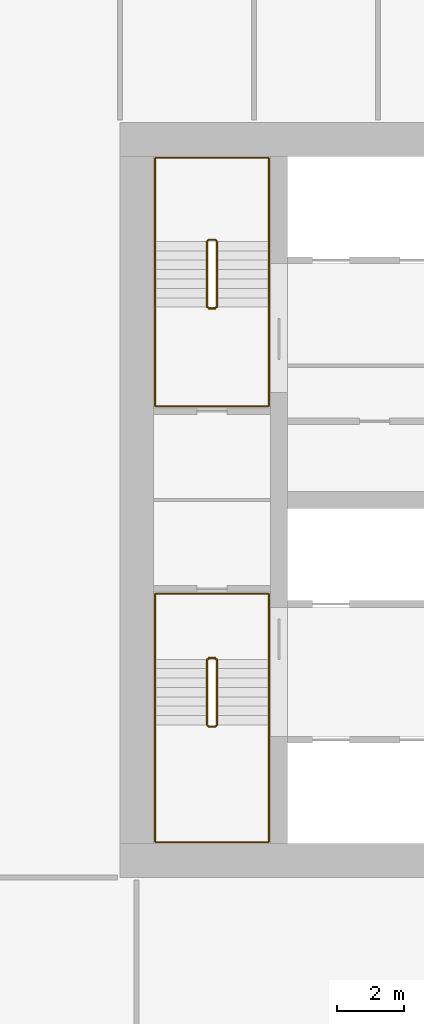
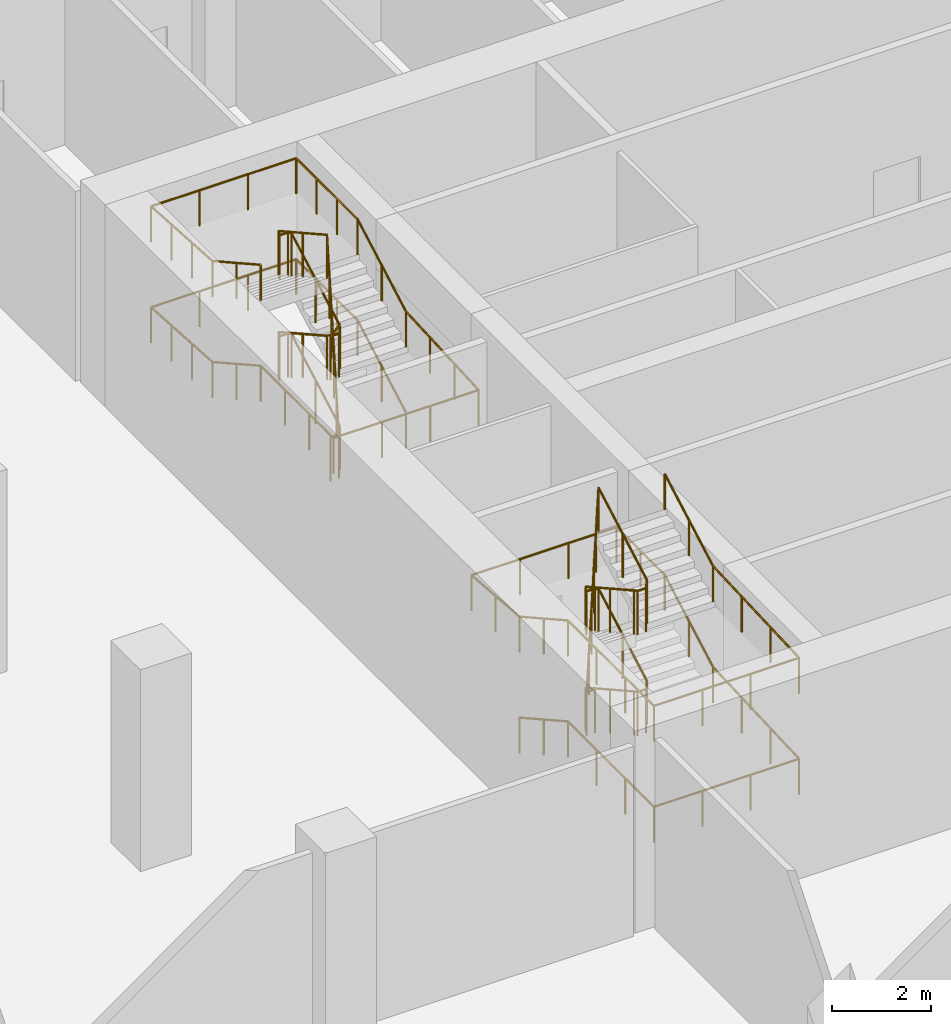
# One storey, part 22 of 32: 4 railings.
"""IFC4 building model written with IfcOpenShell, lengths in metres."""

from ifc_helpers import new_model, si_unit, direction, frame, origin, origin_2d, place, context, subcontext, project, spatial, circle, extrude, material, type_object, element, save


model = new_model("IFC4")

# Units and contexts
model_context = context("Model", 3, precision=1e-05, world=origin(), true_north=direction((0.0, 1.0)))
body_context = subcontext(model_context, "Body", "Model", "MODEL_VIEW")
ifc_project = project(units=[si_unit("LENGTHUNIT", "METRE"), si_unit("AREAUNIT", "SQUARE_METRE"), si_unit("VOLUMEUNIT", "CUBIC_METRE"), si_unit("PLANEANGLEUNIT", "RADIAN"), si_unit("MASSUNIT", "GRAM", prefix="KILO")], contexts=[model_context])

# Site, building, storey
site_placement = place(None, origin())
site = spatial("IfcSite", under=ifc_project, at=site_placement, CompositionType="ELEMENT")
building_placement = place(site_placement, origin())
building = spatial("IfcBuilding", under=site, at=building_placement, Name="Tamorin Gate", CompositionType="ELEMENT")
storey_placement = place(building_placement, frame((0.0, 0.0, 13.5)))
storey = spatial("IfcBuildingStorey", under=building, at=storey_placement, Name="L02", CompositionType="ELEMENT", Elevation=13.5)

# Railings
ifc_material_1 = material(Name="Painted steel balustrade", Category="steel")
railing_type_1 = type_object("IfcRailingType", Name="Stair guard 1100", PredefinedType="GUARDRAIL", material=ifc_material_1)
railing_1_placement = place(storey_placement, frame((32.60009765625, 66.5, 0.15625)))
element("IfcRailing", 1, at=railing_1_placement, inside=storey, type_object=railing_type_1, Name="L02 ST1 stair guard 1", PredefinedType="GUARDRAIL", context=body_context, shape_type="SweptSolid", body=[
    extrude(circle(Radius=0.02392578125, at=origin_2d()), frame((0.0, 0.0, 1.076171875), z_axis=(0.0, -0.873232148454, 0.487304437602), x_axis=(1.0, 0.0, 0.0)), (0.0, 0.0, 1.0), 2.244384765625),
    extrude(circle(Radius=0.02392578125, at=origin_2d()), frame((0.0, -1.9599609375, 2.169921875), z_axis=(0.705375805398, -0.708833529934, 0.0), x_axis=(0.708833529934, 0.705375805398, 0.0)), (0.0, 0.0, 1.0), 0.070556640625),
    extrude(circle(Radius=0.02392578125, at=origin_2d()), frame((0.0498046875, -2.010009765625, 2.169921875), z_axis=(1.0, 0.0, 0.0), x_axis=(0.0, 1.0, 0.0)), (0.0, 0.0, 1.0), 0.2001953125),
    extrude(circle(Radius=0.02392578125, at=origin_2d()), frame((0.25, -2.010009765625, 2.169921875), z_axis=(0.290469530425, 0.291893400672, 0.911276958196), x_axis=(-0.708833529934, 0.705375805398, 0.0)), (0.0, 0.0, 1.0), 0.17138671875),
    extrude(circle(Radius=0.02392578125, at=origin_2d()), frame((0.2998046875, -1.9599609375, 2.326171875), z_axis=(0.0, 0.873232148454, 0.487304437602), x_axis=(-1.0, 0.0, 0.0)), (0.0, 0.0, 1.0), 2.244384765625),
    extrude(circle(Radius=0.02392578125, at=origin_2d()), frame((0.2998046875, 0.0, 3.419921875), z_axis=(-0.98054382908, 0.196300278283, 0.0), x_axis=(-0.196300278283, -0.98054382908, 0.0)), (0.0, 0.0, 1.0), 0.2548828125),
    extrude(circle(Radius=0.02392578125, at=origin_2d()), frame((0.0498046875, 0.050048828125, 3.419921875), z_axis=(1.0, 0.0, 0.0), x_axis=(0.0, 1.0, 0.0)), (0.0, 0.0, 1.0), 0.2001953125),
    extrude(circle(Radius=0.02392578125, at=origin_2d()), frame((0.25, 0.050048828125, 3.419921875), z_axis=(-0.836036486302, -0.167370585637, 0.522522803939), x_axis=(0.196300278283, -0.98054382908, 0.0)), (0.0, 0.0, 1.0), 0.299072265625),
    extrude(circle(Radius=0.02392578125, at=origin_2d()), frame((0.0, 0.0, 3.576171875), z_axis=(0.0, -0.873232148454, 0.487304437602), x_axis=(1.0, 0.0, 0.0)), (0.0, 0.0, 1.0), 2.244384765625),
    extrude(circle(Radius=0.02392578125, at=origin_2d()), frame((0.0, -1.9599609375, 4.669921875), z_axis=(0.705375805398, -0.708833529934, 0.0), x_axis=(0.708833529934, 0.705375805398, 0.0)), (0.0, 0.0, 1.0), 0.070556640625),
    extrude(circle(Radius=0.02392578125, at=origin_2d()), frame((0.0498046875, -2.010009765625, 4.669921875), z_axis=(1.0, 0.0, 0.0), x_axis=(0.0, 1.0, 0.0)), (0.0, 0.0, 1.0), 0.2001953125),
    extrude(circle(Radius=0.02392578125, at=origin_2d()), frame((0.25, -2.010009765625, 4.669921875), z_axis=(0.290469530425, 0.291893400672, 0.911276958196), x_axis=(-0.708833529934, 0.705375805398, 0.0)), (0.0, 0.0, 1.0), 0.17138671875),
    extrude(circle(Radius=0.02392578125, at=origin_2d()), frame((0.2998046875, -1.9599609375, 4.826171875), z_axis=(0.0, 0.873232148454, 0.487304437602), x_axis=(-1.0, 0.0, 0.0)), (0.0, 0.0, 1.0), 2.244384765625),
    extrude(circle(Radius=0.02392578125, at=origin_2d()), frame((0.2998046875, 0.0, 5.919921875), z_axis=(-0.04993512161, 0.009996777275, -0.998702432196), x_axis=(-0.196300278283, -0.98054382908, 0.0)), (0.0, 0.0, 1.0), 5.006591796875),
    extrude(circle(Radius=0.02392578125, at=origin_2d()), frame((0.0498046875, 0.050048828125, 0.919921875), z_axis=(1.0, 0.0, 0.0), x_axis=(0.0, 1.0, 0.0)), (0.0, 0.0, 1.0), 0.2001953125),
    extrude(circle(Radius=0.02099609375, at=origin_2d()), origin(), (0.0, 0.0, 1.0), 1.052001953125),
    extrude(circle(Radius=0.02099609375, at=origin_2d()), frame((0.0, -0.97998046875, 0.546875)), (0.0, 0.0, 1.0), 1.052001953125),
    extrude(circle(Radius=0.02099609375, at=origin_2d()), frame((0.0, -1.9599609375, 1.09375)), (0.0, 0.0, 1.0), 1.052001953125),
    extrude(circle(Radius=0.02099609375, at=origin_2d()), frame((0.0498046875, -2.010009765625, 1.09375)), (0.0, 0.0, 1.0), 1.052001953125),
    extrude(circle(Radius=0.02099609375, at=origin_2d()), frame((0.25, -2.010009765625, 1.09375)), (0.0, 0.0, 1.0), 1.052001953125),
    extrude(circle(Radius=0.02099609375, at=origin_2d()), frame((0.2998046875, -1.9599609375, 1.25)), (0.0, 0.0, 1.0), 1.052001953125),
    extrude(circle(Radius=0.02099609375, at=origin_2d()), frame((0.2998046875, -0.97998046875, 1.796875)), (0.0, 0.0, 1.0), 1.052001953125),
    extrude(circle(Radius=0.02099609375, at=origin_2d()), frame((0.2998046875, 0.0, 2.34375)), (0.0, 0.0, 1.0), 1.052001953125),
    extrude(circle(Radius=0.02099609375, at=origin_2d()), frame((0.0498046875, 0.050048828125, 2.34375)), (0.0, 0.0, 1.0), 1.052001953125),
    extrude(circle(Radius=0.02099609375, at=origin_2d()), frame((0.25, 0.050048828125, 2.34375)), (0.0, 0.0, 1.0), 1.052001953125),
    extrude(circle(Radius=0.02099609375, at=origin_2d()), frame((0.0, 0.0, 2.5)), (0.0, 0.0, 1.0), 1.052001953125),
    extrude(circle(Radius=0.02099609375, at=origin_2d()), frame((0.0, -0.97998046875, 3.046875)), (0.0, 0.0, 1.0), 1.052001953125),
    extrude(circle(Radius=0.02099609375, at=origin_2d()), frame((0.0, -1.9599609375, 3.59375)), (0.0, 0.0, 1.0), 1.052001953125),
    extrude(circle(Radius=0.02099609375, at=origin_2d()), frame((0.0498046875, -2.010009765625, 3.59375)), (0.0, 0.0, 1.0), 1.052001953125),
    extrude(circle(Radius=0.02099609375, at=origin_2d()), frame((0.25, -2.010009765625, 3.59375)), (0.0, 0.0, 1.0), 1.052001953125),
    extrude(circle(Radius=0.02099609375, at=origin_2d()), frame((0.2998046875, -1.9599609375, 3.75)), (0.0, 0.0, 1.0), 1.052001953125),
    extrude(circle(Radius=0.02099609375, at=origin_2d()), frame((0.2998046875, -0.97998046875, 4.296875)), (0.0, 0.0, 1.0), 1.052001953125),
    extrude(circle(Radius=0.02099609375, at=origin_2d()), frame((0.2998046875, 0.0, 4.84375)), (0.0, 0.0, 1.0), 1.052001953125),
    extrude(circle(Radius=0.02099609375, at=origin_2d()), frame((0.249755859375, 0.010009765625, 3.84375)), (0.0, 0.0, 1.0), 1.052001953125),
    extrude(circle(Radius=0.02099609375, at=origin_2d()), frame((0.19970703125, 0.02001953125, 2.84375)), (0.0, 0.0, 1.0), 1.052001953125),
    extrude(circle(Radius=0.02099609375, at=origin_2d()), frame((0.14990234375, 0.030029296875, 1.84375)), (0.0, 0.0, 1.0), 1.052001953125),
    extrude(circle(Radius=0.02099609375, at=origin_2d()), frame((0.099853515625, 0.0400390625, 0.84375)), (0.0, 0.0, 1.0), 1.052001953125),
    extrude(circle(Radius=0.02099609375, at=origin_2d()), frame((0.0498046875, 0.050048828125, -0.15625)), (0.0, 0.0, 1.0), 1.052001953125),
    extrude(circle(Radius=0.02099609375, at=origin_2d()), frame((0.25, 0.050048828125, -0.15625)), (0.0, 0.0, 1.0), 1.052001953125),
])
railing_2_placement = place(storey_placement, frame((32.89990234375, 77.0, 0.15625)))
element("IfcRailing", 2, at=railing_2_placement, inside=storey, type_object=railing_type_1, Name="L02 ST2 stair guard 1", PredefinedType="GUARDRAIL", context=body_context, shape_type="SweptSolid", body=[
    extrude(circle(Radius=0.02392578125, at=origin_2d()), frame((0.0, 0.0, 1.076171875), z_axis=(0.0, 0.873232148454, 0.487304437602), x_axis=(-1.0, 0.0, 0.0)), (0.0, 0.0, 1.0), 2.244384765625),
    extrude(circle(Radius=0.02392578125, at=origin_2d()), frame((0.0, 1.9599609375, 2.169921875), z_axis=(-0.705375805398, 0.708833529934, 0.0), x_axis=(-0.708833529934, -0.705375805398, 0.0)), (0.0, 0.0, 1.0), 0.070556640625),
    extrude(circle(Radius=0.02392578125, at=origin_2d()), frame((-0.0498046875, 2.010009765625, 2.169921875), z_axis=(-1.0, 0.0, 0.0), x_axis=(0.0, -1.0, 0.0)), (0.0, 0.0, 1.0), 0.2001953125),
    extrude(circle(Radius=0.02392578125, at=origin_2d()), frame((-0.25, 2.010009765625, 2.169921875), z_axis=(-0.290469530425, -0.291893400672, 0.911276958196), x_axis=(0.708833529934, -0.705375805398, 0.0)), (0.0, 0.0, 1.0), 0.17138671875),
    extrude(circle(Radius=0.02392578125, at=origin_2d()), frame((-0.2998046875, 1.9599609375, 2.326171875), z_axis=(0.0, -0.873232148454, 0.487304437602), x_axis=(1.0, 0.0, 0.0)), (0.0, 0.0, 1.0), 2.244384765625),
    extrude(circle(Radius=0.02392578125, at=origin_2d()), frame((-0.2998046875, 0.0, 3.419921875), z_axis=(0.98054382908, -0.196300278283, 0.0), x_axis=(0.196300278283, 0.98054382908, 0.0)), (0.0, 0.0, 1.0), 0.2548828125),
    extrude(circle(Radius=0.02392578125, at=origin_2d()), frame((-0.0498046875, -0.050048828125, 3.419921875), z_axis=(-1.0, 0.0, 0.0), x_axis=(0.0, -1.0, 0.0)), (0.0, 0.0, 1.0), 0.2001953125),
    extrude(circle(Radius=0.02392578125, at=origin_2d()), frame((-0.25, -0.050048828125, 3.419921875), z_axis=(0.836036486302, 0.167370585637, 0.522522803939), x_axis=(-0.196300278283, 0.98054382908, 0.0)), (0.0, 0.0, 1.0), 0.299072265625),
    extrude(circle(Radius=0.02392578125, at=origin_2d()), frame((0.0, 0.0, 3.576171875), z_axis=(0.0, 0.873232148454, 0.487304437602), x_axis=(-1.0, 0.0, 0.0)), (0.0, 0.0, 1.0), 2.244384765625),
    extrude(circle(Radius=0.02392578125, at=origin_2d()), frame((0.0, 1.9599609375, 4.669921875), z_axis=(-0.705375805398, 0.708833529934, 0.0), x_axis=(-0.708833529934, -0.705375805398, 0.0)), (0.0, 0.0, 1.0), 0.070556640625),
    extrude(circle(Radius=0.02392578125, at=origin_2d()), frame((-0.0498046875, 2.010009765625, 4.669921875), z_axis=(-1.0, 0.0, 0.0), x_axis=(0.0, -1.0, 0.0)), (0.0, 0.0, 1.0), 0.2001953125),
    extrude(circle(Radius=0.02392578125, at=origin_2d()), frame((-0.25, 2.010009765625, 4.669921875), z_axis=(-0.290469530425, -0.291893400672, 0.911276958196), x_axis=(0.708833529934, -0.705375805398, 0.0)), (0.0, 0.0, 1.0), 0.17138671875),
    extrude(circle(Radius=0.02392578125, at=origin_2d()), frame((-0.2998046875, 1.9599609375, 4.826171875), z_axis=(0.0, -0.873232148454, 0.487304437602), x_axis=(1.0, 0.0, 0.0)), (0.0, 0.0, 1.0), 2.244384765625),
    extrude(circle(Radius=0.02392578125, at=origin_2d()), frame((-0.2998046875, 0.0, 5.919921875), z_axis=(0.04993512161, -0.009996777275, -0.998702432196), x_axis=(0.196300278283, 0.98054382908, 0.0)), (0.0, 0.0, 1.0), 5.006591796875),
    extrude(circle(Radius=0.02392578125, at=origin_2d()), frame((-0.0498046875, -0.050048828125, 0.919921875), z_axis=(-1.0, 0.0, 0.0), x_axis=(0.0, -1.0, 0.0)), (0.0, 0.0, 1.0), 0.2001953125),
    extrude(circle(Radius=0.02099609375, at=origin_2d()), origin(), (0.0, 0.0, 1.0), 1.052001953125),
    extrude(circle(Radius=0.02099609375, at=origin_2d()), frame((0.0, 0.97998046875, 0.546875)), (0.0, 0.0, 1.0), 1.052001953125),
    extrude(circle(Radius=0.02099609375, at=origin_2d()), frame((0.0, 1.9599609375, 1.09375)), (0.0, 0.0, 1.0), 1.052001953125),
    extrude(circle(Radius=0.02099609375, at=origin_2d()), frame((-0.0498046875, 2.010009765625, 1.09375)), (0.0, 0.0, 1.0), 1.052001953125),
    extrude(circle(Radius=0.02099609375, at=origin_2d()), frame((-0.25, 2.010009765625, 1.09375)), (0.0, 0.0, 1.0), 1.052001953125),
    extrude(circle(Radius=0.02099609375, at=origin_2d()), frame((-0.2998046875, 1.9599609375, 1.25)), (0.0, 0.0, 1.0), 1.052001953125),
    extrude(circle(Radius=0.02099609375, at=origin_2d()), frame((-0.2998046875, 0.97998046875, 1.796875)), (0.0, 0.0, 1.0), 1.052001953125),
    extrude(circle(Radius=0.02099609375, at=origin_2d()), frame((-0.2998046875, 0.0, 2.34375)), (0.0, 0.0, 1.0), 1.052001953125),
    extrude(circle(Radius=0.02099609375, at=origin_2d()), frame((-0.0498046875, -0.050048828125, 2.34375)), (0.0, 0.0, 1.0), 1.052001953125),
    extrude(circle(Radius=0.02099609375, at=origin_2d()), frame((-0.25, -0.050048828125, 2.34375)), (0.0, 0.0, 1.0), 1.052001953125),
    extrude(circle(Radius=0.02099609375, at=origin_2d()), frame((0.0, 0.0, 2.5)), (0.0, 0.0, 1.0), 1.052001953125),
    extrude(circle(Radius=0.02099609375, at=origin_2d()), frame((0.0, 0.97998046875, 3.046875)), (0.0, 0.0, 1.0), 1.052001953125),
    extrude(circle(Radius=0.02099609375, at=origin_2d()), frame((0.0, 1.9599609375, 3.59375)), (0.0, 0.0, 1.0), 1.052001953125),
    extrude(circle(Radius=0.02099609375, at=origin_2d()), frame((-0.0498046875, 2.010009765625, 3.59375)), (0.0, 0.0, 1.0), 1.052001953125),
    extrude(circle(Radius=0.02099609375, at=origin_2d()), frame((-0.25, 2.010009765625, 3.59375)), (0.0, 0.0, 1.0), 1.052001953125),
    extrude(circle(Radius=0.02099609375, at=origin_2d()), frame((-0.2998046875, 1.9599609375, 3.75)), (0.0, 0.0, 1.0), 1.052001953125),
    extrude(circle(Radius=0.02099609375, at=origin_2d()), frame((-0.2998046875, 0.97998046875, 4.296875)), (0.0, 0.0, 1.0), 1.052001953125),
    extrude(circle(Radius=0.02099609375, at=origin_2d()), frame((-0.2998046875, 0.0, 4.84375)), (0.0, 0.0, 1.0), 1.052001953125),
    extrude(circle(Radius=0.02099609375, at=origin_2d()), frame((-0.249755859375, -0.010009765625, 3.84375)), (0.0, 0.0, 1.0), 1.052001953125),
    extrude(circle(Radius=0.02099609375, at=origin_2d()), frame((-0.19970703125, -0.02001953125, 2.84375)), (0.0, 0.0, 1.0), 1.052001953125),
    extrude(circle(Radius=0.02099609375, at=origin_2d()), frame((-0.14990234375, -0.030029296875, 1.84375)), (0.0, 0.0, 1.0), 1.052001953125),
    extrude(circle(Radius=0.02099609375, at=origin_2d()), frame((-0.099853515625, -0.0400390625, 0.84375)), (0.0, 0.0, 1.0), 1.052001953125),
    extrude(circle(Radius=0.02099609375, at=origin_2d()), frame((-0.0498046875, -0.050048828125, -0.15625)), (0.0, 0.0, 1.0), 1.052001953125),
    extrude(circle(Radius=0.02099609375, at=origin_2d()), frame((-0.25, -0.050048828125, -0.15625)), (0.0, 0.0, 1.0), 1.052001953125),
])
ifc_material_2 = material(Name="Painted steel handrail", Category="steel")
railing_type_2 = type_object("IfcRailingType", Name="Stair handrail 900", PredefinedType="HANDRAIL", material=ifc_material_2)
railing_3_placement = place(storey_placement, frame((31.050048828125, 66.5, 0.15625)))
element("IfcRailing", 3, at=railing_3_placement, inside=storey, type_object=railing_type_2, Name="L02 ST1 stair handrail 1", PredefinedType="HANDRAIL", context=body_context, shape_type="SweptSolid", body=[
    extrude(circle(Radius=0.02392578125, at=origin_2d()), frame((0.0, 0.0, 0.8759765625), z_axis=(0.0, -0.873232148454, 0.487304437602), x_axis=(1.0, 0.0, 0.0)), (0.0, 0.0, 1.0), 2.244384765625),
    extrude(circle(Radius=0.02392578125, at=origin_2d()), frame((0.0, -1.9599609375, 1.9697265625), z_axis=(0.0, -1.0, 0.0), x_axis=(1.0, 0.0, 0.0)), (0.0, 0.0, 1.0), 3.489990234375),
    extrude(circle(Radius=0.02392578125, at=origin_2d()), frame((0.0, -5.449951171875, 1.9697265625), z_axis=(1.0, 0.0, 0.0), x_axis=(0.0, 1.0, 0.0)), (0.0, 0.0, 1.0), 3.39990234375),
    extrude(circle(Radius=0.02392578125, at=origin_2d()), frame((3.39990234375, -5.449951171875, 1.9697265625), z_axis=(0.0, 0.99899928745, 0.044726096115), x_axis=(-1.0, 0.0, 0.0)), (0.0, 0.0, 1.0), 3.493408203125),
    extrude(circle(Radius=0.02392578125, at=origin_2d()), frame((3.39990234375, -1.9599609375, 2.1259765625), z_axis=(0.0, 0.873232148454, 0.487304437602), x_axis=(-1.0, 0.0, 0.0)), (0.0, 0.0, 1.0), 2.244384765625),
    extrude(circle(Radius=0.02392578125, at=origin_2d()), frame((3.39990234375, 0.0, 3.2197265625), z_axis=(0.0, 1.0, 0.0), x_axis=(-1.0, 0.0, 0.0)), (0.0, 0.0, 1.0), 1.949951171875),
    extrude(circle(Radius=0.02392578125, at=origin_2d()), frame((3.39990234375, 1.949951171875, 3.2197265625), z_axis=(-1.0, 0.0, 0.0), x_axis=(0.0, -1.0, 0.0)), (0.0, 0.0, 1.0), 3.39990234375),
    extrude(circle(Radius=0.02392578125, at=origin_2d()), frame((0.0, 1.949951171875, 3.2197265625), z_axis=(0.0, -0.996804952581, 0.079874191768), x_axis=(1.0, 0.0, 0.0)), (0.0, 0.0, 1.0), 1.956298828125),
    extrude(circle(Radius=0.02392578125, at=origin_2d()), frame((0.0, 0.0, 3.3759765625), z_axis=(0.0, -0.873232148454, 0.487304437602), x_axis=(1.0, 0.0, 0.0)), (0.0, 0.0, 1.0), 2.244384765625),
    extrude(circle(Radius=0.02392578125, at=origin_2d()), frame((0.0, -1.9599609375, 4.4697265625), z_axis=(0.0, -1.0, 0.0), x_axis=(1.0, 0.0, 0.0)), (0.0, 0.0, 1.0), 3.489990234375),
    extrude(circle(Radius=0.02392578125, at=origin_2d()), frame((0.0, -5.449951171875, 4.4697265625), z_axis=(1.0, 0.0, 0.0), x_axis=(0.0, 1.0, 0.0)), (0.0, 0.0, 1.0), 3.39990234375),
    extrude(circle(Radius=0.02392578125, at=origin_2d()), frame((3.39990234375, -5.449951171875, 4.4697265625), z_axis=(0.0, 0.99899928745, 0.044726096115), x_axis=(-1.0, 0.0, 0.0)), (0.0, 0.0, 1.0), 3.493408203125),
    extrude(circle(Radius=0.02392578125, at=origin_2d()), frame((3.39990234375, -1.9599609375, 4.6259765625), z_axis=(0.0, 0.873232148454, 0.487304437602), x_axis=(-1.0, 0.0, 0.0)), (0.0, 0.0, 1.0), 2.244384765625),
    extrude(circle(Radius=0.02099609375, at=origin_2d()), origin(), (0.0, 0.0, 1.0), 0.851806640625),
    extrude(circle(Radius=0.02099609375, at=origin_2d()), frame((0.0, -0.97998046875, 0.546875)), (0.0, 0.0, 1.0), 0.851806640625),
    extrude(circle(Radius=0.02099609375, at=origin_2d()), frame((0.0, -1.9599609375, 1.09375)), (0.0, 0.0, 1.0), 0.851806640625),
    extrude(circle(Radius=0.02099609375, at=origin_2d()), frame((0.0, -3.123291015625, 1.09375)), (0.0, 0.0, 1.0), 0.851806640625),
    extrude(circle(Radius=0.02099609375, at=origin_2d()), frame((0.0, -4.28662109375, 1.09375)), (0.0, 0.0, 1.0), 0.851806640625),
    extrude(circle(Radius=0.02099609375, at=origin_2d()), frame((0.0, -5.449951171875, 1.09375)), (0.0, 0.0, 1.0), 0.851806640625),
    extrude(circle(Radius=0.02099609375, at=origin_2d()), frame((1.13330078125, -5.449951171875, 1.09375)), (0.0, 0.0, 1.0), 0.851806640625),
    extrude(circle(Radius=0.02099609375, at=origin_2d()), frame((2.2666015625, -5.449951171875, 1.09375)), (0.0, 0.0, 1.0), 0.851806640625),
    extrude(circle(Radius=0.02099609375, at=origin_2d()), frame((3.39990234375, -5.449951171875, 1.09375)), (0.0, 0.0, 1.0), 0.851806640625),
    extrude(circle(Radius=0.02099609375, at=origin_2d()), frame((3.39990234375, -4.28662109375, 1.145751953125)), (0.0, 0.0, 1.0), 0.851806640625),
    extrude(circle(Radius=0.02099609375, at=origin_2d()), frame((3.39990234375, -3.123291015625, 1.197998046875)), (0.0, 0.0, 1.0), 0.851806640625),
    extrude(circle(Radius=0.02099609375, at=origin_2d()), frame((3.39990234375, -1.9599609375, 1.25)), (0.0, 0.0, 1.0), 0.851806640625),
    extrude(circle(Radius=0.02099609375, at=origin_2d()), frame((3.39990234375, -0.97998046875, 1.796875)), (0.0, 0.0, 1.0), 0.851806640625),
    extrude(circle(Radius=0.02099609375, at=origin_2d()), frame((3.39990234375, 0.0, 2.34375)), (0.0, 0.0, 1.0), 0.851806640625),
    extrude(circle(Radius=0.02099609375, at=origin_2d()), frame((3.39990234375, 0.97509765625, 2.34375)), (0.0, 0.0, 1.0), 0.851806640625),
    extrude(circle(Radius=0.02099609375, at=origin_2d()), frame((3.39990234375, 1.949951171875, 2.34375)), (0.0, 0.0, 1.0), 0.851806640625),
    extrude(circle(Radius=0.02099609375, at=origin_2d()), frame((2.2666015625, 1.949951171875, 2.34375)), (0.0, 0.0, 1.0), 0.851806640625),
    extrude(circle(Radius=0.02099609375, at=origin_2d()), frame((1.13330078125, 1.949951171875, 2.34375)), (0.0, 0.0, 1.0), 0.851806640625),
    extrude(circle(Radius=0.02099609375, at=origin_2d()), frame((0.0, 1.949951171875, 2.34375)), (0.0, 0.0, 1.0), 0.851806640625),
    extrude(circle(Radius=0.02099609375, at=origin_2d()), frame((0.0, 0.97509765625, 2.421875)), (0.0, 0.0, 1.0), 0.851806640625),
    extrude(circle(Radius=0.02099609375, at=origin_2d()), frame((0.0, 0.0, 2.5)), (0.0, 0.0, 1.0), 0.851806640625),
    extrude(circle(Radius=0.02099609375, at=origin_2d()), frame((0.0, -0.97998046875, 3.046875)), (0.0, 0.0, 1.0), 0.851806640625),
    extrude(circle(Radius=0.02099609375, at=origin_2d()), frame((0.0, -1.9599609375, 3.59375)), (0.0, 0.0, 1.0), 0.851806640625),
    extrude(circle(Radius=0.02099609375, at=origin_2d()), frame((0.0, -3.123291015625, 3.59375)), (0.0, 0.0, 1.0), 0.851806640625),
    extrude(circle(Radius=0.02099609375, at=origin_2d()), frame((0.0, -4.28662109375, 3.59375)), (0.0, 0.0, 1.0), 0.851806640625),
    extrude(circle(Radius=0.02099609375, at=origin_2d()), frame((0.0, -5.449951171875, 3.59375)), (0.0, 0.0, 1.0), 0.851806640625),
    extrude(circle(Radius=0.02099609375, at=origin_2d()), frame((1.13330078125, -5.449951171875, 3.59375)), (0.0, 0.0, 1.0), 0.851806640625),
    extrude(circle(Radius=0.02099609375, at=origin_2d()), frame((2.2666015625, -5.449951171875, 3.59375)), (0.0, 0.0, 1.0), 0.851806640625),
    extrude(circle(Radius=0.02099609375, at=origin_2d()), frame((3.39990234375, -5.449951171875, 3.59375)), (0.0, 0.0, 1.0), 0.851806640625),
    extrude(circle(Radius=0.02099609375, at=origin_2d()), frame((3.39990234375, -4.28662109375, 3.645751953125)), (0.0, 0.0, 1.0), 0.851806640625),
    extrude(circle(Radius=0.02099609375, at=origin_2d()), frame((3.39990234375, -3.123291015625, 3.697998046875)), (0.0, 0.0, 1.0), 0.851806640625),
    extrude(circle(Radius=0.02099609375, at=origin_2d()), frame((3.39990234375, -1.9599609375, 3.75)), (0.0, 0.0, 1.0), 0.851806640625),
    extrude(circle(Radius=0.02099609375, at=origin_2d()), frame((3.39990234375, -0.97998046875, 4.296875)), (0.0, 0.0, 1.0), 0.851806640625),
    extrude(circle(Radius=0.02099609375, at=origin_2d()), frame((3.39990234375, 0.0, 4.84375)), (0.0, 0.0, 1.0), 0.851806640625),
])
railing_4_placement = place(storey_placement, frame((34.449951171875, 77.0, 0.15625)))
element("IfcRailing", 4, at=railing_4_placement, inside=storey, type_object=railing_type_2, Name="L02 ST2 stair handrail 1", PredefinedType="HANDRAIL", context=body_context, shape_type="SweptSolid", body=[
    extrude(circle(Radius=0.02392578125, at=origin_2d()), frame((0.0, 0.0, 0.8759765625), z_axis=(0.0, 0.873232148454, 0.487304437602), x_axis=(-1.0, 0.0, 0.0)), (0.0, 0.0, 1.0), 2.244384765625),
    extrude(circle(Radius=0.02392578125, at=origin_2d()), frame((0.0, 1.9599609375, 1.9697265625), z_axis=(0.0, 1.0, 0.0), x_axis=(-1.0, 0.0, 0.0)), (0.0, 0.0, 1.0), 2.489990234375),
    extrude(circle(Radius=0.02392578125, at=origin_2d()), frame((0.0, 4.449951171875, 1.9697265625), z_axis=(-1.0, 0.0, 0.0), x_axis=(0.0, -1.0, 0.0)), (0.0, 0.0, 1.0), 3.39990234375),
    extrude(circle(Radius=0.02392578125, at=origin_2d()), frame((-3.39990234375, 4.449951171875, 1.9697265625), z_axis=(0.0, -0.998036935902, 0.062628065396), x_axis=(1.0, 0.0, 0.0)), (0.0, 0.0, 1.0), 2.494873046875),
    extrude(circle(Radius=0.02392578125, at=origin_2d()), frame((-3.39990234375, 1.9599609375, 2.1259765625), z_axis=(0.0, -0.873232148454, 0.487304437602), x_axis=(1.0, 0.0, 0.0)), (0.0, 0.0, 1.0), 2.244384765625),
    extrude(circle(Radius=0.02392578125, at=origin_2d()), frame((-3.39990234375, 0.0, 3.2197265625), z_axis=(0.0, -1.0, 0.0), x_axis=(1.0, 0.0, 0.0)), (0.0, 0.0, 1.0), 2.949951171875),
    extrude(circle(Radius=0.02392578125, at=origin_2d()), frame((-3.39990234375, -2.949951171875, 3.2197265625), z_axis=(1.0, 0.0, 0.0), x_axis=(0.0, 1.0, 0.0)), (0.0, 0.0, 1.0), 3.39990234375),
    extrude(circle(Radius=0.02392578125, at=origin_2d()), frame((0.0, -2.949951171875, 3.2197265625), z_axis=(0.0, 0.998600194279, 0.05289283492), x_axis=(-1.0, 0.0, 0.0)), (0.0, 0.0, 1.0), 2.9541015625),
    extrude(circle(Radius=0.02392578125, at=origin_2d()), frame((0.0, 0.0, 3.3759765625), z_axis=(0.0, 0.873232148454, 0.487304437602), x_axis=(-1.0, 0.0, 0.0)), (0.0, 0.0, 1.0), 2.244384765625),
    extrude(circle(Radius=0.02392578125, at=origin_2d()), frame((0.0, 1.9599609375, 4.4697265625), z_axis=(0.0, 1.0, 0.0), x_axis=(-1.0, 0.0, 0.0)), (0.0, 0.0, 1.0), 2.489990234375),
    extrude(circle(Radius=0.02392578125, at=origin_2d()), frame((0.0, 4.449951171875, 4.4697265625), z_axis=(-1.0, 0.0, 0.0), x_axis=(0.0, -1.0, 0.0)), (0.0, 0.0, 1.0), 3.39990234375),
    extrude(circle(Radius=0.02392578125, at=origin_2d()), frame((-3.39990234375, 4.449951171875, 4.4697265625), z_axis=(0.0, -0.998036935902, 0.062628065396), x_axis=(1.0, 0.0, 0.0)), (0.0, 0.0, 1.0), 2.494873046875),
    extrude(circle(Radius=0.02392578125, at=origin_2d()), frame((-3.39990234375, 1.9599609375, 4.6259765625), z_axis=(0.0, -0.873232148454, 0.487304437602), x_axis=(1.0, 0.0, 0.0)), (0.0, 0.0, 1.0), 2.244384765625),
    extrude(circle(Radius=0.02099609375, at=origin_2d()), origin(), (0.0, 0.0, 1.0), 0.851806640625),
    extrude(circle(Radius=0.02099609375, at=origin_2d()), frame((0.0, 0.97998046875, 0.546875)), (0.0, 0.0, 1.0), 0.851806640625),
    extrude(circle(Radius=0.02099609375, at=origin_2d()), frame((0.0, 1.9599609375, 1.09375)), (0.0, 0.0, 1.0), 0.851806640625),
    extrude(circle(Radius=0.02099609375, at=origin_2d()), frame((0.0, 2.7900390625, 1.09375)), (0.0, 0.0, 1.0), 0.851806640625),
    extrude(circle(Radius=0.02099609375, at=origin_2d()), frame((0.0, 3.619873046875, 1.09375)), (0.0, 0.0, 1.0), 0.851806640625),
    extrude(circle(Radius=0.02099609375, at=origin_2d()), frame((0.0, 4.449951171875, 1.09375)), (0.0, 0.0, 1.0), 0.851806640625),
    extrude(circle(Radius=0.02099609375, at=origin_2d()), frame((-1.13330078125, 4.449951171875, 1.09375)), (0.0, 0.0, 1.0), 0.851806640625),
    extrude(circle(Radius=0.02099609375, at=origin_2d()), frame((-2.2666015625, 4.449951171875, 1.09375)), (0.0, 0.0, 1.0), 0.851806640625),
    extrude(circle(Radius=0.02099609375, at=origin_2d()), frame((-3.39990234375, 4.449951171875, 1.09375)), (0.0, 0.0, 1.0), 0.851806640625),
    extrude(circle(Radius=0.02099609375, at=origin_2d()), frame((-3.39990234375, 3.619873046875, 1.145751953125)), (0.0, 0.0, 1.0), 0.851806640625),
    extrude(circle(Radius=0.02099609375, at=origin_2d()), frame((-3.39990234375, 2.7900390625, 1.197998046875)), (0.0, 0.0, 1.0), 0.851806640625),
    extrude(circle(Radius=0.02099609375, at=origin_2d()), frame((-3.39990234375, 1.9599609375, 1.25)), (0.0, 0.0, 1.0), 0.851806640625),
    extrude(circle(Radius=0.02099609375, at=origin_2d()), frame((-3.39990234375, 0.97998046875, 1.796875)), (0.0, 0.0, 1.0), 0.851806640625),
    extrude(circle(Radius=0.02099609375, at=origin_2d()), frame((-3.39990234375, 0.0, 2.34375)), (0.0, 0.0, 1.0), 0.851806640625),
    extrude(circle(Radius=0.02099609375, at=origin_2d()), frame((-3.39990234375, -0.9833984375, 2.34375)), (0.0, 0.0, 1.0), 0.851806640625),
    extrude(circle(Radius=0.02099609375, at=origin_2d()), frame((-3.39990234375, -1.966552734375, 2.34375)), (0.0, 0.0, 1.0), 0.851806640625),
    extrude(circle(Radius=0.02099609375, at=origin_2d()), frame((-3.39990234375, -2.949951171875, 2.34375)), (0.0, 0.0, 1.0), 0.851806640625),
    extrude(circle(Radius=0.02099609375, at=origin_2d()), frame((-2.2666015625, -2.949951171875, 2.34375)), (0.0, 0.0, 1.0), 0.851806640625),
    extrude(circle(Radius=0.02099609375, at=origin_2d()), frame((-1.13330078125, -2.949951171875, 2.34375)), (0.0, 0.0, 1.0), 0.851806640625),
    extrude(circle(Radius=0.02099609375, at=origin_2d()), frame((0.0, -2.949951171875, 2.34375)), (0.0, 0.0, 1.0), 0.851806640625),
    extrude(circle(Radius=0.02099609375, at=origin_2d()), frame((0.0, -1.966552734375, 2.395751953125)), (0.0, 0.0, 1.0), 0.851806640625),
    extrude(circle(Radius=0.02099609375, at=origin_2d()), frame((0.0, -0.9833984375, 2.447998046875)), (0.0, 0.0, 1.0), 0.851806640625),
    extrude(circle(Radius=0.02099609375, at=origin_2d()), frame((0.0, 0.0, 2.5)), (0.0, 0.0, 1.0), 0.851806640625),
    extrude(circle(Radius=0.02099609375, at=origin_2d()), frame((0.0, 0.97998046875, 3.046875)), (0.0, 0.0, 1.0), 0.851806640625),
    extrude(circle(Radius=0.02099609375, at=origin_2d()), frame((0.0, 1.9599609375, 3.59375)), (0.0, 0.0, 1.0), 0.851806640625),
    extrude(circle(Radius=0.02099609375, at=origin_2d()), frame((0.0, 2.7900390625, 3.59375)), (0.0, 0.0, 1.0), 0.851806640625),
    extrude(circle(Radius=0.02099609375, at=origin_2d()), frame((0.0, 3.619873046875, 3.59375)), (0.0, 0.0, 1.0), 0.851806640625),
    extrude(circle(Radius=0.02099609375, at=origin_2d()), frame((0.0, 4.449951171875, 3.59375)), (0.0, 0.0, 1.0), 0.851806640625),
    extrude(circle(Radius=0.02099609375, at=origin_2d()), frame((-1.13330078125, 4.449951171875, 3.59375)), (0.0, 0.0, 1.0), 0.851806640625),
    extrude(circle(Radius=0.02099609375, at=origin_2d()), frame((-2.2666015625, 4.449951171875, 3.59375)), (0.0, 0.0, 1.0), 0.851806640625),
    extrude(circle(Radius=0.02099609375, at=origin_2d()), frame((-3.39990234375, 4.449951171875, 3.59375)), (0.0, 0.0, 1.0), 0.851806640625),
    extrude(circle(Radius=0.02099609375, at=origin_2d()), frame((-3.39990234375, 3.619873046875, 3.645751953125)), (0.0, 0.0, 1.0), 0.851806640625),
    extrude(circle(Radius=0.02099609375, at=origin_2d()), frame((-3.39990234375, 2.7900390625, 3.697998046875)), (0.0, 0.0, 1.0), 0.851806640625),
    extrude(circle(Radius=0.02099609375, at=origin_2d()), frame((-3.39990234375, 1.9599609375, 3.75)), (0.0, 0.0, 1.0), 0.851806640625),
    extrude(circle(Radius=0.02099609375, at=origin_2d()), frame((-3.39990234375, 0.97998046875, 4.296875)), (0.0, 0.0, 1.0), 0.851806640625),
    extrude(circle(Radius=0.02099609375, at=origin_2d()), frame((-3.39990234375, 0.0, 4.84375)), (0.0, 0.0, 1.0), 0.851806640625),
])

save(model, "model.ifc")
